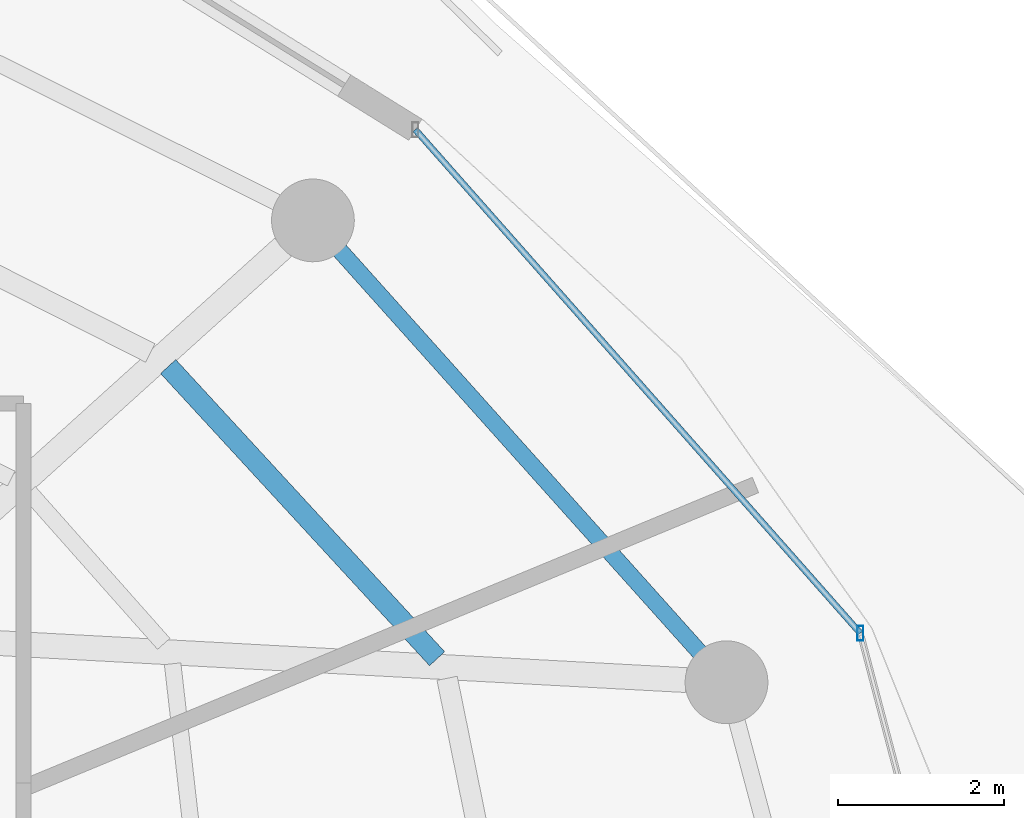
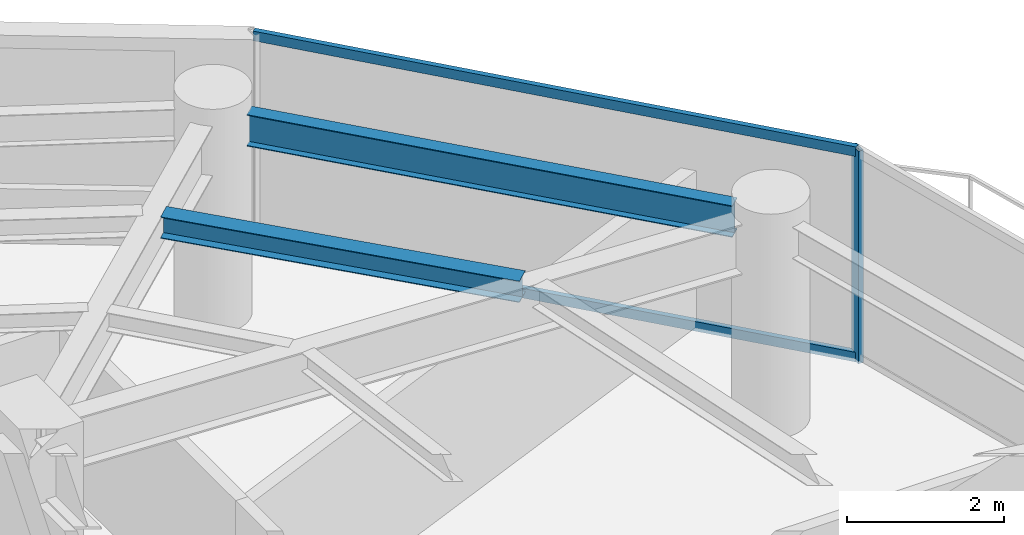
# One storey, part 13 of 28: 3 members, 2 beams, 1 element without a shape of its own.
"""IFC4 building model written with IfcOpenShell, lengths in metres."""

from ifc_helpers import new_model, si_unit, direction, frame, origin, origin_2d, place, context, subcontext, project, spatial, hollow_rectangle, i_section, extrude, material, material_profile, profile_set, type_object, element, aggregate, save


model = new_model("IFC4")

# Units and contexts
model_context = context("Model", 3, precision=1e-05, world=origin(), true_north=direction((0.0, 1.0)))
body_context = subcontext(model_context, "Body", "Model", "MODEL_VIEW")
ifc_project = project(units=[si_unit("LENGTHUNIT", "METRE"), si_unit("AREAUNIT", "SQUARE_METRE"), si_unit("VOLUMEUNIT", "CUBIC_METRE"), si_unit("PLANEANGLEUNIT", "RADIAN"), si_unit("MASSUNIT", "GRAM", prefix="KILO")], contexts=[model_context])

# Site, building, storey
site_placement = place(None, origin())
site = spatial("IfcSite", under=ifc_project, at=site_placement, CompositionType="ELEMENT")
building_placement = place(site_placement, origin())
building = spatial("IfcBuilding", under=site, at=building_placement, Name="Vorneva Point Tower", CompositionType="ELEMENT")
storey_placement = place(building_placement, frame((0.0, 0.0, 164.10009765625)))
storey = spatial("IfcBuildingStorey", under=building, at=storey_placement, Name="L44", CompositionType="ELEMENT", Elevation=164.10009765625)

# Beams
ifc_material_1 = material(Name="Steel S355", Category="steel")
ifc_material_profile_1 = material_profile(ifc_material_1, i_section(OverallWidth=0.2490234375, OverallDepth=0.333984375, WebThickness=0.008056640625, FlangeThickness=0.010986328125, at=origin_2d()), Name="35Sh1")
ifc_profile_set_1 = profile_set([ifc_material_profile_1], Name="Steel S355")
beam_type_1 = type_object("IfcBeamType", Name="BM-SEC-35Sh1", PredefinedType="BEAM", material=ifc_profile_set_1)
beam_1_placement = place(storey_placement, frame((55.799072265625, 32.866943359375, 3.072998046875), z_axis=(-0.677292423638, 0.735713920545, 0.0), x_axis=(-0.735713920545, -0.677292423638, 0.0)))
element("IfcBeam", 1, at=beam_1_placement, inside=storey, type_object=beam_type_1, Name="L44 Secondary Floor Beam 1.02", PredefinedType="BEAM", context=body_context, shape_type="SweptSolid", body=[
    extrude(i_section(OverallWidth=0.2490234375, OverallDepth=0.333984375, WebThickness=0.008056640625, FlangeThickness=0.010986328125, at=origin_2d()), origin(), (0.0, 0.0, 1.0), 4.79736328125),
])
ifc_material_profile_2 = material_profile(ifc_material_1, i_section(OverallWidth=0.199951171875, OverallDepth=0.491943359375, WebThickness=0.0087890625, FlangeThickness=0.011962890625, at=origin_2d()), Name="50B1")
ifc_profile_set_2 = profile_set([ifc_material_profile_2], Name="Steel S355")
beam_type_2 = type_object("IfcBeamType", Name="BM-SPN-50B1", PredefinedType="SPANDREL", material=ifc_profile_set_2)
beam_2_placement = place(storey_placement, frame((58.971923828125, 32.943603515625, 2.993896484375), z_axis=(-0.667111118975, 0.74495822362, 0.0), x_axis=(-0.74495822362, -0.667111118975, 0.0)))
element("IfcBeam", 2, at=beam_2_placement, inside=storey, type_object=beam_type_2, Name="L44 Perimeter Spandrel Ring Beam 02", PredefinedType="SPANDREL", context=body_context, shape_type="SweptSolid", body=[
    extrude(i_section(OverallWidth=0.199951171875, OverallDepth=0.491943359375, WebThickness=0.0087890625, FlangeThickness=0.011962890625, at=origin_2d()), origin(), (0.0, 0.0, 1.0), 6.52001953125),
])

# Curtain wall, members
ifc_material_2 = material(Name="Pale anodised aluminium", Category="aluminium")
curtain_wall_type = type_object("IfcCurtainWallType", Name="CW-RES-SYS", PredefinedType="NOTDEFINED", material=ifc_material_2)
curtain_wall_placement = place(storey_placement, origin())
curtain_wall = element("IfcCurtainWall", 3, at=curtain_wall_placement, inside=storey, type_object=curtain_wall_type, Name="L44 Unitised Curtain Wall CW-L44-R01", PredefinedType="NOTDEFINED")
ifc_material_profile_3 = material_profile(ifc_material_2, hollow_rectangle(XDim=0.074951171875, YDim=0.179931640625, WallThickness=0.00390625, at=origin_2d()), Name="AL-MUL 180x75x4")
ifc_profile_set_3 = profile_set([ifc_material_profile_3], Name="Pale anodised aluminium")
member_type_1 = type_object("IfcMemberType", Name="CW-MUL-180", PredefinedType="MULLION", material=ifc_profile_set_3)
member_1_placement = place(storey_placement, frame((60.912109375, 33.17529296875, -0.0400390625), z_axis=(0.0, 0.0, 1.0), x_axis=(1.0, 0.0, 0.0)))
member_1 = element("IfcMember", 4, at=member_1_placement, type_object=member_type_1, Name="CW-L44-R01 Mullion 04", PredefinedType="MULLION", context=body_context, shape_type="SweptSolid", body=[
    extrude(hollow_rectangle(XDim=0.074951171875, YDim=0.179931640625, WallThickness=0.00390625, at=origin_2d()), origin(), (0.0, 0.0, 1.0), 3.31005859375),
])
ifc_material_profile_4 = material_profile(ifc_material_2, hollow_rectangle(XDim=0.074951171875, YDim=0.14990234375, WallThickness=0.00390625, at=origin_2d()), Name="AL-TRN 150x75x4")
ifc_profile_set_4 = profile_set([ifc_material_profile_4], Name="Pale anodised aluminium")
member_type_2 = type_object("IfcMemberType", Name="CW-TRN-150", PredefinedType="USERDEFINED", material=ifc_profile_set_4)
member_2_placement = place(storey_placement, frame((60.912109375, 33.17529296875, 0.02001953125), z_axis=(-0.662218216609, 0.749311039283, 0.0), x_axis=(-0.749311039283, -0.662218216609, 0.0)))
member_2 = element("IfcMember", 5, at=member_2_placement, type_object=member_type_2, Name="CW-L44-R01 Transom 04.1", ObjectType="TRANSOM", PredefinedType="USERDEFINED", context=body_context, shape_type="SweptSolid", body=[
    extrude(hollow_rectangle(XDim=0.074951171875, YDim=0.14990234375, WallThickness=0.00390625, at=origin_2d()), origin(), (0.0, 0.0, 1.0), 8.1181640625),
])
member_3_placement = place(storey_placement, frame((60.912109375, 33.17529296875, 3.219970703125), z_axis=(-0.662218216609, 0.749311039283, 0.0), x_axis=(-0.749311039283, -0.662218216609, 0.0)))
member_3 = element("IfcMember", 6, at=member_3_placement, type_object=member_type_2, Name="CW-L44-R01 Transom 04.2", ObjectType="TRANSOM", PredefinedType="USERDEFINED", context=body_context, shape_type="SweptSolid", body=[
    extrude(hollow_rectangle(XDim=0.074951171875, YDim=0.14990234375, WallThickness=0.00390625, at=origin_2d()), origin(), (0.0, 0.0, 1.0), 8.1181640625),
])
aggregate(curtain_wall, [member_1, member_2, member_3])

save(model, "model.ifc")
